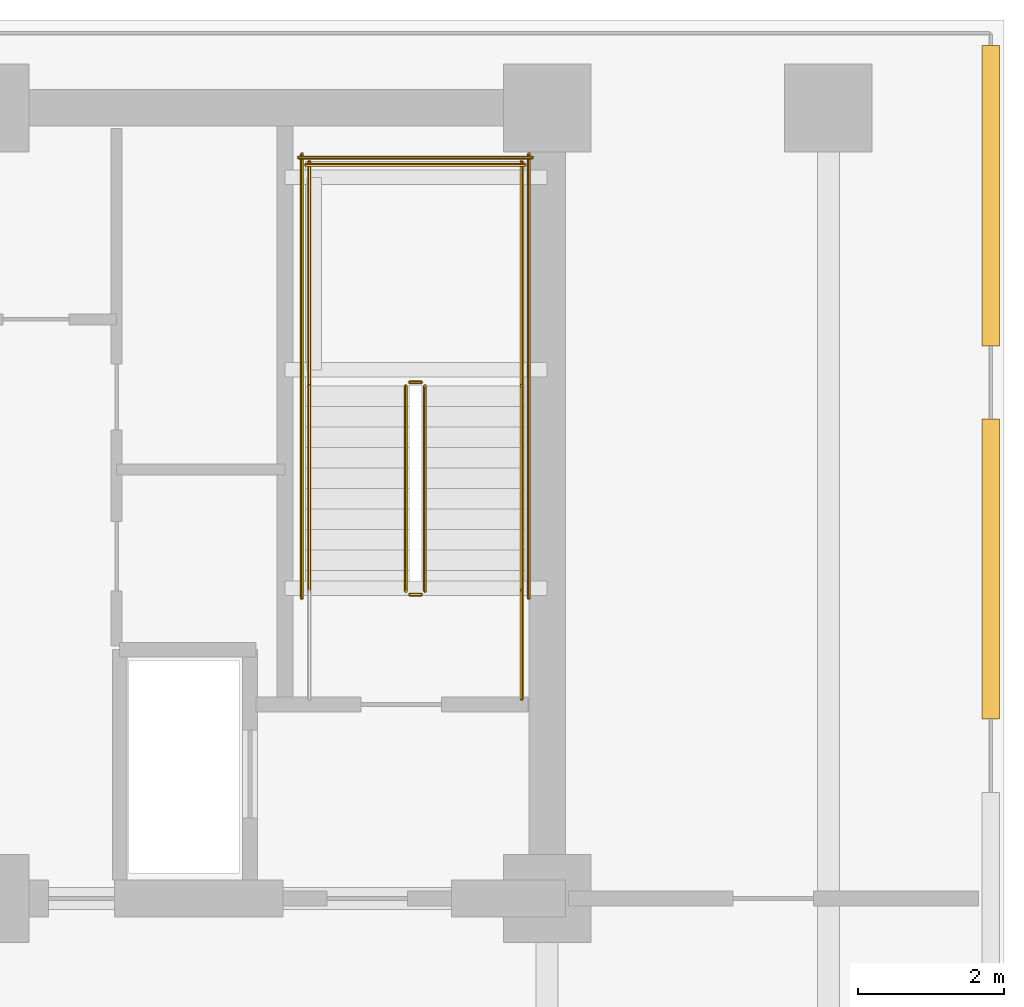
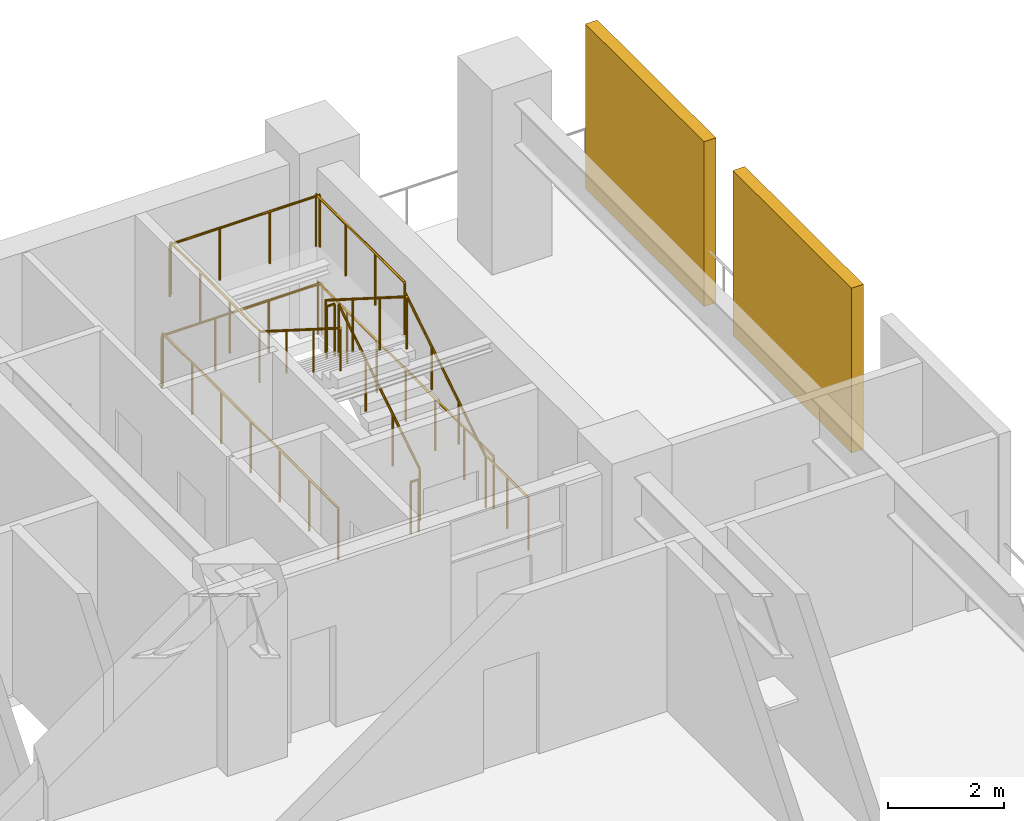
# One storey, part 7 of 7: 13 railings, 2 shading devices.
"""IFC4 building model written with IfcOpenShell, lengths in metres."""

from ifc_helpers import new_model, si_unit, direction, frame, origin, origin_2d, place, context, subcontext, project, spatial, rectangle, circle, extrude, material, layer, layer_set, type_object, element, save


model = new_model("IFC4")

# Units and contexts
model_context = context("Model", 3, precision=1e-05, world=origin(), true_north=direction((0.0, 1.0)))
body_context = subcontext(model_context, "Body", "Model", "MODEL_VIEW")
ifc_project = project(units=[si_unit("LENGTHUNIT", "METRE"), si_unit("AREAUNIT", "SQUARE_METRE"), si_unit("VOLUMEUNIT", "CUBIC_METRE"), si_unit("PLANEANGLEUNIT", "RADIAN"), si_unit("MASSUNIT", "GRAM", prefix="KILO")], contexts=[model_context])

# Site, building, storey
site_placement = place(None, origin())
site = spatial("IfcSite", under=ifc_project, at=site_placement, CompositionType="ELEMENT")
building_placement = place(site_placement, origin())
building = spatial("IfcBuilding", under=site, at=building_placement, Name="Yelkora Congress Tower", CompositionType="ELEMENT")
storey_placement = place(building_placement, frame((0.0, 0.0, 81.89990234375)))
storey = spatial("IfcBuildingStorey", under=building, at=storey_placement, Name="L21", CompositionType="ELEMENT", Elevation=81.89990234375)

# Railings
ifc_material_1 = material(Name="Painted galvanised steel stair well guard with vertical infill", Category="steel")
ifc_layer_1 = layer(ifc_material_1, 0.06005859375)
ifc_layer_set_1 = layer_set([ifc_layer_1], Name="Painted galvanised steel stair well guard with vertical infill")
railing_type_1 = type_object("IfcRailingType", Name="RAIL-STAIR-GUARD-1120", PredefinedType="GUARDRAIL", material=ifc_layer_set_1)
railing_1_placement = place(storey_placement, frame((52.090087890625, 39.60009765625, 0.177490234375)))
element("IfcRailing", 1, at=railing_1_placement, inside=storey, type_object=railing_type_1, Name="ST-02 L21 Stair Well Guardrail 1", PredefinedType="GUARDRAIL", context=body_context, shape_type="SweptSolid", body=[
    extrude(circle(Radius=0.02392578125, at=origin_2d()), frame((0.0, 0.0, 1.09619140625), z_axis=(0.0, 0.844887892834, 0.53494340686), x_axis=(-1.0, 0.0, 0.0)), (0.0, 0.0, 1.0), 3.313720703125),
    extrude(circle(Radius=0.02099609375, at=origin_2d()), origin(), (0.0, 0.0, 1.0), 1.072021484375),
    extrude(circle(Radius=0.02099609375, at=origin_2d()), frame((0.0, 0.933349609375, 0.5908203125)), (0.0, 0.0, 1.0), 1.072021484375),
    extrude(circle(Radius=0.02099609375, at=origin_2d()), frame((0.0, 1.866455078125, 1.181884765625)), (0.0, 0.0, 1.0), 1.072021484375),
    extrude(circle(Radius=0.02099609375, at=origin_2d()), frame((0.0, 2.7998046875, 1.772705078125)), (0.0, 0.0, 1.0), 1.072021484375),
])
railing_2_placement = place(storey_placement, frame((52.0400390625, 42.449951171875, 1.9501953125)))
element("IfcRailing", 2, at=railing_2_placement, inside=storey, type_object=railing_type_1, Name="ST-02 L21 Stair Well Guardrail 2", PredefinedType="GUARDRAIL", context=body_context, shape_type="SweptSolid", body=[
    extrude(circle(Radius=0.02392578125, at=origin_2d()), frame((0.0, 0.0, 1.09619140625), z_axis=(-1.0, 0.0, 0.0), x_axis=(0.0, -1.0, 0.0)), (0.0, 0.0, 1.0), 0.16015625),
    extrude(circle(Radius=0.02099609375, at=origin_2d()), origin(), (0.0, 0.0, 1.0), 1.072021484375),
    extrude(circle(Radius=0.02099609375, at=origin_2d()), frame((-0.16015625, 0.0, 0.0)), (0.0, 0.0, 1.0), 1.072021484375),
])
for number, where, name in (
    (3, (53.409912109375, 42.39990234375, 1.9501953125), "ST-02 L21 Stair Well Guardrail 3"),
    (4, (50.510009765625, 42.39990234375, 1.9501953125), "ST-02 L21 Stair Well Guardrail 4"),
):
    element("IfcRailing", number, at=place(storey_placement, frame(where)), inside=storey, type_object=railing_type_1, Name=name, PredefinedType="GUARDRAIL", context=body_context, shape_type="SweptSolid", body=[
        extrude(circle(Radius=0.02392578125, at=origin_2d()), frame((0.0, 0.0, 1.09619140625), z_axis=(0.0, 1.0, 0.0), x_axis=(-1.0, 0.0, 0.0)), (0.0, 0.0, 1.0), 3.070068359375),
        extrude(circle(Radius=0.02099609375, at=origin_2d()), origin(), (0.0, 0.0, 1.0), 1.072021484375),
        extrude(circle(Radius=0.02099609375, at=origin_2d()), frame((0.0, 1.0234375, 0.0)), (0.0, 0.0, 1.0), 1.072021484375),
        extrude(circle(Radius=0.02099609375, at=origin_2d()), frame((0.0, 2.046630859375, 0.0)), (0.0, 0.0, 1.0), 1.072021484375),
        extrude(circle(Radius=0.02099609375, at=origin_2d()), frame((0.0, 3.070068359375, 0.0)), (0.0, 0.0, 1.0), 1.072021484375),
    ])
railing_3_placement = place(storey_placement, frame((53.4599609375, 45.419921875, 1.9501953125)))
element("IfcRailing", 5, at=railing_3_placement, inside=storey, type_object=railing_type_1, Name="ST-02 L21 Stair Well Guardrail 5", PredefinedType="GUARDRAIL", context=body_context, shape_type="SweptSolid", body=[
    extrude(circle(Radius=0.02392578125, at=origin_2d()), frame((0.0, 0.0, 1.09619140625), z_axis=(-1.0, 0.0, 0.0), x_axis=(0.0, -1.0, 0.0)), (0.0, 0.0, 1.0), 3.0),
    extrude(circle(Radius=0.02099609375, at=origin_2d()), origin(), (0.0, 0.0, 1.0), 1.072021484375),
    extrude(circle(Radius=0.02099609375, at=origin_2d()), frame((-1.0, 0.0, 0.0)), (0.0, 0.0, 1.0), 1.072021484375),
    extrude(circle(Radius=0.02099609375, at=origin_2d()), frame((-2.0, 0.0, 0.0)), (0.0, 0.0, 1.0), 1.072021484375),
    extrude(circle(Radius=0.02099609375, at=origin_2d()), frame((-3.0, 0.0, 0.0)), (0.0, 0.0, 1.0), 1.072021484375),
])
railing_4_placement = place(storey_placement, frame((51.830078125, 42.39990234375, 2.12744140625)))
element("IfcRailing", 6, at=railing_4_placement, inside=storey, type_object=railing_type_1, Name="ST-02 L21 Stair Well Guardrail 6", PredefinedType="GUARDRAIL", context=body_context, shape_type="SweptSolid", body=[
    extrude(circle(Radius=0.02392578125, at=origin_2d()), frame((0.0, 0.0, 1.09619140625), z_axis=(0.0, -0.844887892834, 0.53494340686), x_axis=(1.0, 0.0, 0.0)), (0.0, 0.0, 1.0), 3.313720703125),
    extrude(circle(Radius=0.02099609375, at=origin_2d()), origin(), (0.0, 0.0, 1.0), 1.072021484375),
    extrude(circle(Radius=0.02099609375, at=origin_2d()), frame((0.0, -0.933349609375, 0.5908203125)), (0.0, 0.0, 1.0), 1.072021484375),
    extrude(circle(Radius=0.02099609375, at=origin_2d()), frame((0.0, -1.866455078125, 1.181884765625)), (0.0, 0.0, 1.0), 1.072021484375),
    extrude(circle(Radius=0.02099609375, at=origin_2d()), frame((0.0, -2.7998046875, 1.772705078125)), (0.0, 0.0, 1.0), 1.072021484375),
])
railing_5_placement = place(storey_placement, frame((52.0400390625, 39.550048828125, 0.0)))
element("IfcRailing", 7, at=railing_5_placement, inside=storey, type_object=railing_type_1, Name="ST-02 L21 Stair Well Guardrail 7", PredefinedType="GUARDRAIL", context=body_context, shape_type="SweptSolid", body=[
    extrude(circle(Radius=0.02392578125, at=origin_2d()), frame((0.0, 0.0, 1.09619140625), z_axis=(-1.0, 0.0, 0.0), x_axis=(0.0, -1.0, 0.0)), (0.0, 0.0, 1.0), 0.16015625),
    extrude(circle(Radius=0.02099609375, at=origin_2d()), origin(), (0.0, 0.0, 1.0), 1.072021484375),
    extrude(circle(Radius=0.02099609375, at=origin_2d()), frame((-0.16015625, 0.0, 0.0)), (0.0, 0.0, 1.0), 1.072021484375),
])
railing_6_placement = place(storey_placement, frame((53.409912109375, 38.1201171875, 0.0)))
element("IfcRailing", 8, at=railing_6_placement, inside=storey, type_object=railing_type_1, Name="ST-02 L21 Stair Well Guardrail 8", PredefinedType="GUARDRAIL", context=body_context, shape_type="SweptSolid", body=[
    extrude(circle(Radius=0.02392578125, at=origin_2d()), frame((0.0, 0.0, 1.09619140625), z_axis=(0.0, 1.0, 0.0), x_axis=(-1.0, 0.0, 0.0)), (0.0, 0.0, 1.0), 1.47998046875),
    extrude(circle(Radius=0.02099609375, at=origin_2d()), origin(), (0.0, 0.0, 1.0), 1.072021484375),
    extrude(circle(Radius=0.02099609375, at=origin_2d()), frame((0.0, 0.739990234375, 0.0)), (0.0, 0.0, 1.0), 1.072021484375),
    extrude(circle(Radius=0.02099609375, at=origin_2d()), frame((0.0, 1.47998046875, 0.0)), (0.0, 0.0, 1.0), 1.072021484375),
])
for number, where, name in (
    (9, (53.510009765625, 39.5, 0.0), "ST-02 L21 Stair Well Guardrail 10"),
    (10, (50.409912109375, 39.5, 0.0), "ST-02 L21 Stair Well Guardrail 11"),
):
    element("IfcRailing", number, at=place(storey_placement, frame(where)), inside=storey, type_object=railing_type_1, Name=name, PredefinedType="GUARDRAIL", context=body_context, shape_type="SweptSolid", body=[
        extrude(circle(Radius=0.02392578125, at=origin_2d()), frame((0.0, 0.0, 1.09619140625), z_axis=(0.0, 1.0, 0.0), x_axis=(-1.0, 0.0, 0.0)), (0.0, 0.0, 1.0), 6.070068359375),
        extrude(circle(Radius=0.02099609375, at=origin_2d()), origin(), (0.0, 0.0, 1.0), 1.072021484375),
        extrude(circle(Radius=0.02099609375, at=origin_2d()), frame((0.0, 1.01171875, 0.0)), (0.0, 0.0, 1.0), 1.072021484375),
        extrude(circle(Radius=0.02099609375, at=origin_2d()), frame((0.0, 2.0234375, 0.0)), (0.0, 0.0, 1.0), 1.072021484375),
        extrude(circle(Radius=0.02099609375, at=origin_2d()), frame((0.0, 3.03515625, 0.0)), (0.0, 0.0, 1.0), 1.072021484375),
        extrude(circle(Radius=0.02099609375, at=origin_2d()), frame((0.0, 4.046630859375, 0.0)), (0.0, 0.0, 1.0), 1.072021484375),
        extrude(circle(Radius=0.02099609375, at=origin_2d()), frame((0.0, 5.058349609375, 0.0)), (0.0, 0.0, 1.0), 1.072021484375),
        extrude(circle(Radius=0.02099609375, at=origin_2d()), frame((0.0, 6.070068359375, 0.0)), (0.0, 0.0, 1.0), 1.072021484375),
    ])
railing_7_placement = place(storey_placement, frame((53.56005859375, 45.52001953125, 0.0)))
element("IfcRailing", 11, at=railing_7_placement, inside=storey, type_object=railing_type_1, Name="ST-02 L21 Stair Well Guardrail 12", PredefinedType="GUARDRAIL", context=body_context, shape_type="SweptSolid", body=[
    extrude(circle(Radius=0.02392578125, at=origin_2d()), frame((0.0, 0.0, 1.09619140625), z_axis=(-1.0, 0.0, 0.0), x_axis=(0.0, -1.0, 0.0)), (0.0, 0.0, 1.0), 3.199951171875),
    extrude(circle(Radius=0.02099609375, at=origin_2d()), origin(), (0.0, 0.0, 1.0), 1.072021484375),
    extrude(circle(Radius=0.02099609375, at=origin_2d()), frame((-1.066650390625, 0.0, 0.0)), (0.0, 0.0, 1.0), 1.072021484375),
    extrude(circle(Radius=0.02099609375, at=origin_2d()), frame((-2.13330078125, 0.0, 0.0)), (0.0, 0.0, 1.0), 1.072021484375),
    extrude(circle(Radius=0.02099609375, at=origin_2d()), frame((-3.199951171875, 0.0, 0.0)), (0.0, 0.0, 1.0), 1.072021484375),
])
ifc_material_2 = material(Name="Brushed stainless steel tubular handrail", Category="steel")
ifc_layer_2 = layer(ifc_material_2, 0.050048828125)
ifc_layer_set_2 = layer_set([ifc_layer_2], Name="Brushed stainless steel tubular handrail")
railing_type_2 = type_object("IfcRailingType", Name="RAIL-STAIR-HAND-920", PredefinedType="HANDRAIL", material=ifc_layer_set_2)
railing_8_placement = place(storey_placement, frame((53.409912109375, 39.60009765625, 0.177490234375)))
element("IfcRailing", 12, at=railing_8_placement, inside=storey, type_object=railing_type_2, Name="ST-02 L21 Pitch Handrail 1", PredefinedType="HANDRAIL", context=body_context, shape_type="SweptSolid", body=[
    extrude(circle(Radius=0.02392578125, at=origin_2d()), frame((0.0, 0.0, 0.89599609375), z_axis=(0.0, 0.844887892834, 0.53494340686), x_axis=(-1.0, 0.0, 0.0)), (0.0, 0.0, 1.0), 3.313720703125),
    extrude(circle(Radius=0.02099609375, at=origin_2d()), origin(), (0.0, 0.0, 1.0), 0.871826171875),
    extrude(circle(Radius=0.02099609375, at=origin_2d()), frame((0.0, 0.933349609375, 0.5908203125)), (0.0, 0.0, 1.0), 0.871826171875),
    extrude(circle(Radius=0.02099609375, at=origin_2d()), frame((0.0, 1.866455078125, 1.181884765625)), (0.0, 0.0, 1.0), 0.871826171875),
    extrude(circle(Radius=0.02099609375, at=origin_2d()), frame((0.0, 2.7998046875, 1.772705078125)), (0.0, 0.0, 1.0), 0.871826171875),
])
railing_9_placement = place(storey_placement, frame((50.510009765625, 42.39990234375, 2.12744140625)))
element("IfcRailing", 13, at=railing_9_placement, inside=storey, type_object=railing_type_2, Name="ST-02 L21 Pitch Handrail 2", PredefinedType="HANDRAIL", context=body_context, shape_type="SweptSolid", body=[
    extrude(circle(Radius=0.02392578125, at=origin_2d()), frame((0.0, 0.0, 0.89599609375), z_axis=(0.0, -0.844887892834, 0.53494340686), x_axis=(1.0, 0.0, 0.0)), (0.0, 0.0, 1.0), 3.313720703125),
    extrude(circle(Radius=0.02099609375, at=origin_2d()), origin(), (0.0, 0.0, 1.0), 0.871826171875),
    extrude(circle(Radius=0.02099609375, at=origin_2d()), frame((0.0, -0.933349609375, 0.5908203125)), (0.0, 0.0, 1.0), 0.871826171875),
    extrude(circle(Radius=0.02099609375, at=origin_2d()), frame((0.0, -1.866455078125, 1.181884765625)), (0.0, 0.0, 1.0), 0.871826171875),
    extrude(circle(Radius=0.02099609375, at=origin_2d()), frame((0.0, -2.7998046875, 1.772705078125)), (0.0, 0.0, 1.0), 0.871826171875),
])

# Shading devices
ifc_material_3 = material(Name="Perforated anodised aluminium louvre", Category="aluminium")
ifc_layer_3 = layer(ifc_material_3, 3.39990234375)
ifc_layer_set_3 = layer_set([ifc_layer_3], Name="Perforated anodised aluminium louvre")
shading_device_type = type_object("IfcShadingDeviceType", Name="SHD-LOUVRE-WIND", PredefinedType="JALOUSIE", material=ifc_layer_set_3)
for number, where, z_axis, x_axis, name in (
    (14, (59.820068359375, 39.89990234375, 0.0), (0.0, 0.0, 1.0), (1.0, 0.0, 0.0), "L21 Acoustic Wind-Floor Louvre Screen E4"),
    (15, (59.820068359375, 45.0, 0.0), (0.0, 0.0, 1.0), (1.0, 0.0, 0.0), "L21 Acoustic Wind-Floor Louvre Screen E5"),
):
    element("IfcShadingDevice", number, at=place(storey_placement, frame(where, z_axis=z_axis, x_axis=x_axis)), inside=storey, type_object=shading_device_type, Name=name, PredefinedType="JALOUSIE", context=body_context, shape_type="SweptSolid", body=[
        extrude(rectangle(XDim=0.239990234375, YDim=4.10009765625, at=origin_2d()), origin(), (0.0, 0.0, 1.0), 3.47998046875),
    ])

save(model, "model.ifc")
